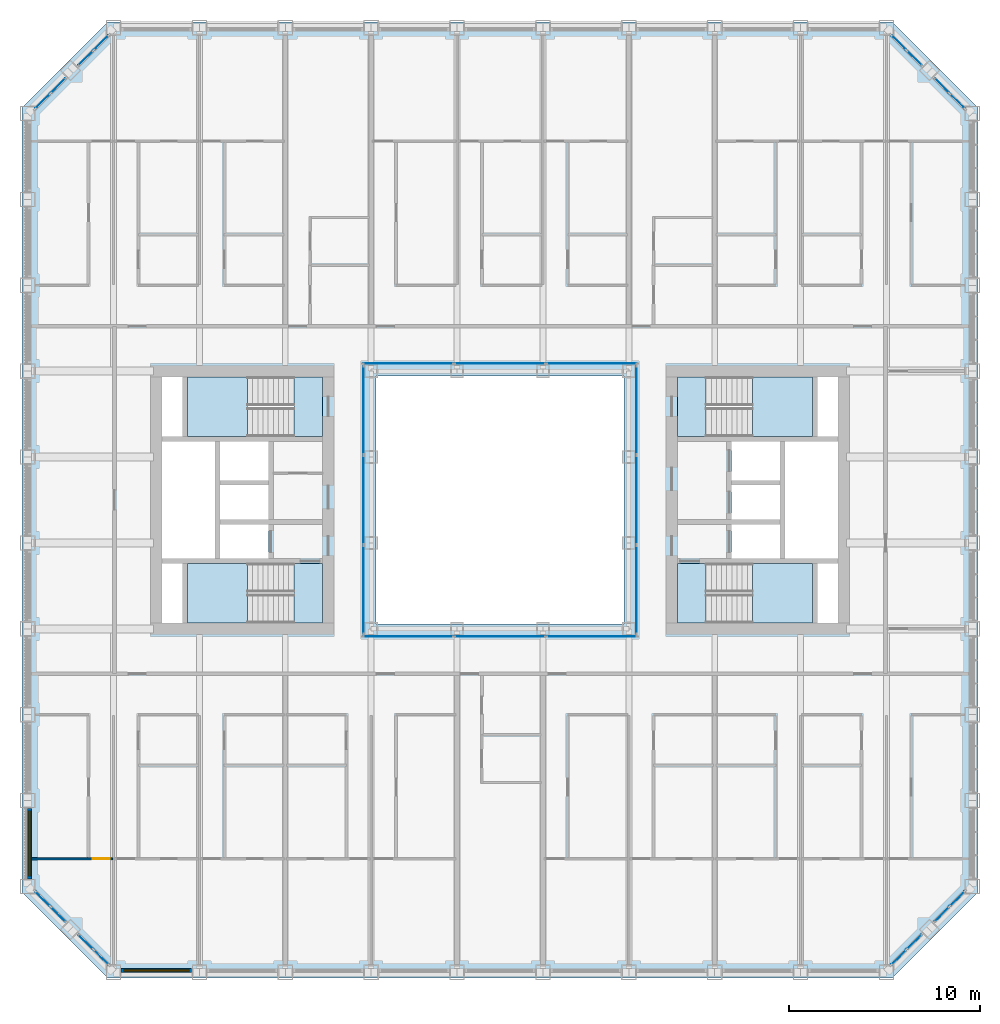
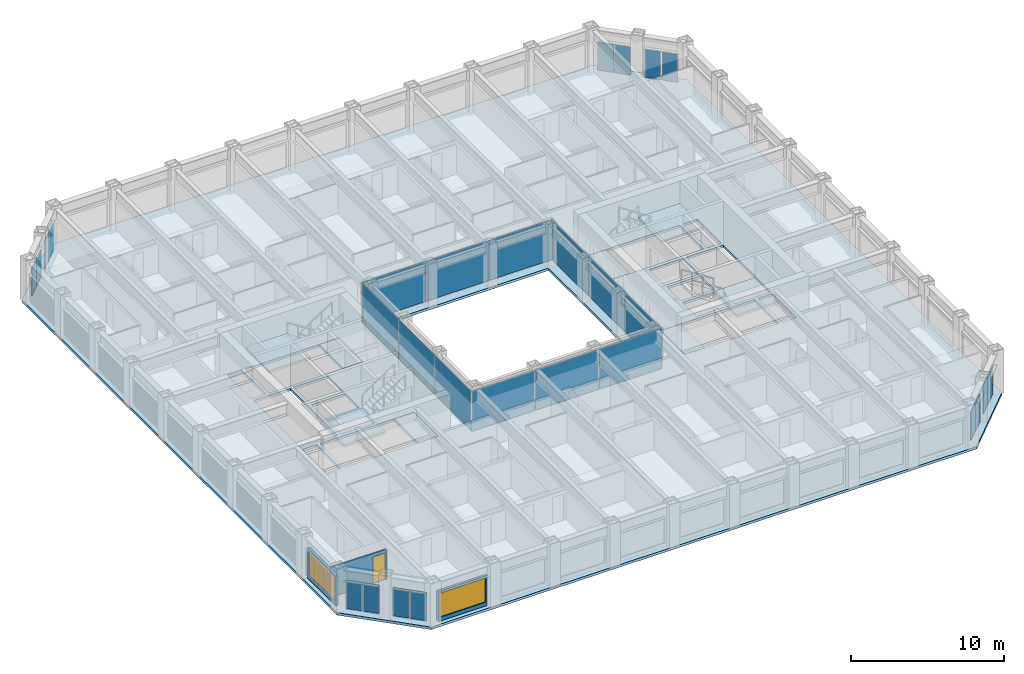
# One storey, part 8 of 20: 28 plates, 9 slabs, 3 walls, 2 windows, 1 door, 3 openings, 16 elements without a shape of their own.
"""IFC4 building model written with IfcOpenShell, lengths in metres."""

from ifc_helpers import new_model, si_unit, direction, frame, frame_2d, origin, origin_2d, place, context, subcontext, project, spatial, polyline, rectangle, outline, extrude, material, layer, layer_set, type_object, element, fill, aggregate, save


model = new_model("IFC4")

# Units and contexts
model_context = context("Model", 3, precision=1e-05, world=origin(), true_north=direction((0.0, 1.0)))
body_context = subcontext(model_context, "Body", "Model", "MODEL_VIEW")
ifc_project = project(units=[si_unit("LENGTHUNIT", "METRE"), si_unit("AREAUNIT", "SQUARE_METRE"), si_unit("VOLUMEUNIT", "CUBIC_METRE"), si_unit("PLANEANGLEUNIT", "RADIAN"), si_unit("MASSUNIT", "GRAM", prefix="KILO")], contexts=[model_context])

# Site, building, storey
site_placement = place(None, origin())
site = spatial("IfcSite", under=ifc_project, at=site_placement, CompositionType="ELEMENT")
building_placement = place(site_placement, origin())
building = spatial("IfcBuilding", under=site, at=building_placement, Name="Msasa Ring Tower", CompositionType="ELEMENT")
storey_placement = place(building_placement, frame((0.0, 0.0, 65.0)))
storey = spatial("IfcBuildingStorey", under=building, at=storey_placement, Name="L16", CompositionType="ELEMENT", Elevation=65.0)

# Curtain wall, plates
ifc_material_1 = material(Name="Aluminium curtain wall with clear glass", Category="aluminium")
curtain_wall_type_1 = type_object("IfcCurtainWallType", Name="CW-C CHAMFER CORNER CURTAIN WALL", PredefinedType="NOTDEFINED", material=ifc_material_1)
curtain_wall_1_placement = place(storey_placement, origin())
curtain_wall_1 = element("IfcCurtainWall", 1, at=curtain_wall_1_placement, inside=storey, type_object=curtain_wall_type_1, Name="Chamfer corner curtain wall SE L16", PredefinedType="NOTDEFINED")
ifc_material_2 = material(Name="Clear laminated insulating glass unit", Category="glass")
ifc_layer_1 = layer(ifc_material_2, 0.031982421875)
ifc_layer_set_1 = layer_set([ifc_layer_1], Name="CW-C GLASS PANEL 32")
plate_type_1 = type_object("IfcPlateType", Name="CW-C GLASS PANEL 32", PredefinedType="CURTAIN_PANEL", material=ifc_layer_set_1)
plate_1_placement = place(storey_placement, frame((20.896484375, -23.962158203125, 0.06494140625), z_axis=(0.0, 0.0, 1.0), x_axis=(0.707106781187, 0.707106781187, 0.0)))
plate_1 = element("IfcPlate", 2, at=plate_1_placement, type_object=plate_type_1, Name="CW-C panel 1.1", PredefinedType="CURTAIN_PANEL", context=body_context, shape_type="SweptSolid", body=[
    extrude(rectangle(XDim=1.08837890625, YDim=0.031982421875, at=origin_2d()), origin(), (0.0, 0.0, 1.0), 2.2490234375),
])
plate_2_placement = place(storey_placement, frame((21.712158203125, -23.146484375, 0.06494140625), z_axis=(0.0, 0.0, 1.0), x_axis=(0.707106781187, 0.707106781187, 0.0)))
plate_2 = element("IfcPlate", 3, at=plate_2_placement, type_object=plate_type_1, Name="CW-C panel 2.1", PredefinedType="CURTAIN_PANEL", context=body_context, shape_type="SweptSolid", body=[
    extrude(rectangle(XDim=1.08837890625, YDim=0.031982421875, at=origin_2d()), origin(), (0.0, 0.0, 1.0), 2.2490234375),
])
aggregate(curtain_wall_1, [plate_1, plate_2])

curtain_wall_2_placement = place(storey_placement, origin())
curtain_wall_2 = element("IfcCurtainWall", 4, at=curtain_wall_2_placement, inside=storey, type_object=curtain_wall_type_1, Name="Chamfer corner curtain wall SE L16", PredefinedType="NOTDEFINED")
plate_3_placement = place(storey_placement, frame((23.146484375, -21.712158203125, 0.06494140625), z_axis=(0.0, 0.0, 1.0), x_axis=(0.707106781187, 0.707106781187, 0.0)))
plate_3 = element("IfcPlate", 5, at=plate_3_placement, type_object=plate_type_1, Name="CW-C panel 1.1", PredefinedType="CURTAIN_PANEL", context=body_context, shape_type="SweptSolid", body=[
    extrude(rectangle(XDim=1.08837890625, YDim=0.031982421875, at=origin_2d()), origin(), (0.0, 0.0, 1.0), 2.2490234375),
])
plate_4_placement = place(storey_placement, frame((23.962158203125, -20.896484375, 0.06494140625), z_axis=(0.0, 0.0, 1.0), x_axis=(0.707106781187, 0.707106781187, 0.0)))
plate_4 = element("IfcPlate", 6, at=plate_4_placement, type_object=plate_type_1, Name="CW-C panel 2.1", PredefinedType="CURTAIN_PANEL", context=body_context, shape_type="SweptSolid", body=[
    extrude(rectangle(XDim=1.08837890625, YDim=0.031982421875, at=origin_2d()), origin(), (0.0, 0.0, 1.0), 2.2490234375),
])
aggregate(curtain_wall_2, [plate_3, plate_4])

curtain_wall_3_placement = place(storey_placement, origin())
curtain_wall_3 = element("IfcCurtainWall", 7, at=curtain_wall_3_placement, inside=storey, type_object=curtain_wall_type_1, Name="Chamfer corner curtain wall NE L16", PredefinedType="NOTDEFINED")
plate_5_placement = place(storey_placement, frame((21.712158203125, 23.146484375, 0.06494140625), z_axis=(0.0, 0.0, 1.0), x_axis=(-0.707106781187, 0.707106781187, 0.0)))
plate_5 = element("IfcPlate", 8, at=plate_5_placement, type_object=plate_type_1, Name="CW-C panel 1.1", PredefinedType="CURTAIN_PANEL", context=body_context, shape_type="SweptSolid", body=[
    extrude(rectangle(XDim=1.08837890625, YDim=0.031982421875, at=origin_2d()), origin(), (0.0, 0.0, 1.0), 2.2490234375),
])
plate_6_placement = place(storey_placement, frame((20.896484375, 23.962158203125, 0.06494140625), z_axis=(0.0, 0.0, 1.0), x_axis=(-0.707106781187, 0.707106781187, 0.0)))
plate_6 = element("IfcPlate", 9, at=plate_6_placement, type_object=plate_type_1, Name="CW-C panel 2.1", PredefinedType="CURTAIN_PANEL", context=body_context, shape_type="SweptSolid", body=[
    extrude(rectangle(XDim=1.08837890625, YDim=0.031982421875, at=origin_2d()), origin(), (0.0, 0.0, 1.0), 2.2490234375),
])
aggregate(curtain_wall_3, [plate_5, plate_6])

curtain_wall_4_placement = place(storey_placement, origin())
curtain_wall_4 = element("IfcCurtainWall", 10, at=curtain_wall_4_placement, inside=storey, type_object=curtain_wall_type_1, Name="Chamfer corner curtain wall NE L16", PredefinedType="NOTDEFINED")
plate_7_placement = place(storey_placement, frame((23.962158203125, 20.896484375, 0.06494140625), z_axis=(0.0, 0.0, 1.0), x_axis=(-0.707106781187, 0.707106781187, 0.0)))
plate_7 = element("IfcPlate", 11, at=plate_7_placement, type_object=plate_type_1, Name="CW-C panel 1.1", PredefinedType="CURTAIN_PANEL", context=body_context, shape_type="SweptSolid", body=[
    extrude(rectangle(XDim=1.08837890625, YDim=0.031982421875, at=origin_2d()), origin(), (0.0, 0.0, 1.0), 2.2490234375),
])
plate_8_placement = place(storey_placement, frame((23.146484375, 21.712158203125, 0.06494140625), z_axis=(0.0, 0.0, 1.0), x_axis=(-0.707106781187, 0.707106781187, 0.0)))
plate_8 = element("IfcPlate", 12, at=plate_8_placement, type_object=plate_type_1, Name="CW-C panel 2.1", PredefinedType="CURTAIN_PANEL", context=body_context, shape_type="SweptSolid", body=[
    extrude(rectangle(XDim=1.08837890625, YDim=0.031982421875, at=origin_2d()), origin(), (0.0, 0.0, 1.0), 2.2490234375),
])
aggregate(curtain_wall_4, [plate_7, plate_8])

curtain_wall_5_placement = place(storey_placement, origin())
curtain_wall_5 = element("IfcCurtainWall", 13, at=curtain_wall_5_placement, inside=storey, type_object=curtain_wall_type_1, Name="Chamfer corner curtain wall NW L16", PredefinedType="NOTDEFINED")
plate_9_placement = place(storey_placement, frame((-23.146484375, 21.712158203125, 0.06494140625), z_axis=(0.0, 0.0, 1.0), x_axis=(-0.707106781187, -0.707106781187, 0.0)))
plate_9 = element("IfcPlate", 14, at=plate_9_placement, type_object=plate_type_1, Name="CW-C panel 1.1", PredefinedType="CURTAIN_PANEL", context=body_context, shape_type="SweptSolid", body=[
    extrude(rectangle(XDim=1.08837890625, YDim=0.031982421875, at=origin_2d()), origin(), (0.0, 0.0, 1.0), 2.2490234375),
])
plate_10_placement = place(storey_placement, frame((-23.962158203125, 20.896484375, 0.06494140625), z_axis=(0.0, 0.0, 1.0), x_axis=(-0.707106781187, -0.707106781187, 0.0)))
plate_10 = element("IfcPlate", 15, at=plate_10_placement, type_object=plate_type_1, Name="CW-C panel 2.1", PredefinedType="CURTAIN_PANEL", context=body_context, shape_type="SweptSolid", body=[
    extrude(rectangle(XDim=1.08837890625, YDim=0.031982421875, at=origin_2d()), origin(), (0.0, 0.0, 1.0), 2.2490234375),
])
aggregate(curtain_wall_5, [plate_9, plate_10])

curtain_wall_6_placement = place(storey_placement, origin())
curtain_wall_6 = element("IfcCurtainWall", 16, at=curtain_wall_6_placement, inside=storey, type_object=curtain_wall_type_1, Name="Chamfer corner curtain wall NW L16", PredefinedType="NOTDEFINED")
plate_11_placement = place(storey_placement, frame((-20.896484375, 23.962158203125, 0.06494140625), z_axis=(0.0, 0.0, 1.0), x_axis=(-0.707106781187, -0.707106781187, 0.0)))
plate_11 = element("IfcPlate", 17, at=plate_11_placement, type_object=plate_type_1, Name="CW-C panel 1.1", PredefinedType="CURTAIN_PANEL", context=body_context, shape_type="SweptSolid", body=[
    extrude(rectangle(XDim=1.08837890625, YDim=0.031982421875, at=origin_2d()), origin(), (0.0, 0.0, 1.0), 2.2490234375),
])
plate_12_placement = place(storey_placement, frame((-21.712158203125, 23.146484375, 0.06494140625), z_axis=(0.0, 0.0, 1.0), x_axis=(-0.707106781187, -0.707106781187, 0.0)))
plate_12 = element("IfcPlate", 18, at=plate_12_placement, type_object=plate_type_1, Name="CW-C panel 2.1", PredefinedType="CURTAIN_PANEL", context=body_context, shape_type="SweptSolid", body=[
    extrude(rectangle(XDim=1.08837890625, YDim=0.031982421875, at=origin_2d()), origin(), (0.0, 0.0, 1.0), 2.2490234375),
])
aggregate(curtain_wall_6, [plate_11, plate_12])

curtain_wall_7_placement = place(storey_placement, origin())
curtain_wall_7 = element("IfcCurtainWall", 19, at=curtain_wall_7_placement, inside=storey, type_object=curtain_wall_type_1, Name="Chamfer corner curtain wall SW L16", PredefinedType="NOTDEFINED")
plate_13_placement = place(storey_placement, frame((-23.962158203125, -20.896484375, 0.06494140625), z_axis=(0.0, 0.0, 1.0), x_axis=(0.707106781187, -0.707106781187, 0.0)))
plate_13 = element("IfcPlate", 20, at=plate_13_placement, type_object=plate_type_1, Name="CW-C panel 1.1", PredefinedType="CURTAIN_PANEL", context=body_context, shape_type="SweptSolid", body=[
    extrude(rectangle(XDim=1.08837890625, YDim=0.031982421875, at=origin_2d()), origin(), (0.0, 0.0, 1.0), 2.2490234375),
])
plate_14_placement = place(storey_placement, frame((-23.146484375, -21.712158203125, 0.06494140625), z_axis=(0.0, 0.0, 1.0), x_axis=(0.707106781187, -0.707106781187, 0.0)))
plate_14 = element("IfcPlate", 21, at=plate_14_placement, type_object=plate_type_1, Name="CW-C panel 2.1", PredefinedType="CURTAIN_PANEL", context=body_context, shape_type="SweptSolid", body=[
    extrude(rectangle(XDim=1.08837890625, YDim=0.031982421875, at=origin_2d()), origin(), (0.0, 0.0, 1.0), 2.2490234375),
])
aggregate(curtain_wall_7, [plate_13, plate_14])

curtain_wall_8_placement = place(storey_placement, origin())
curtain_wall_8 = element("IfcCurtainWall", 22, at=curtain_wall_8_placement, inside=storey, type_object=curtain_wall_type_1, Name="Chamfer corner curtain wall SW L16", PredefinedType="NOTDEFINED")
plate_15_placement = place(storey_placement, frame((-21.712158203125, -23.146484375, 0.06494140625), z_axis=(0.0, 0.0, 1.0), x_axis=(0.707106781187, -0.707106781187, 0.0)))
plate_15 = element("IfcPlate", 23, at=plate_15_placement, type_object=plate_type_1, Name="CW-C panel 1.1", PredefinedType="CURTAIN_PANEL", context=body_context, shape_type="SweptSolid", body=[
    extrude(rectangle(XDim=1.08837890625, YDim=0.031982421875, at=origin_2d()), origin(), (0.0, 0.0, 1.0), 2.2490234375),
])
plate_16_placement = place(storey_placement, frame((-20.896484375, -23.962158203125, 0.06494140625), z_axis=(0.0, 0.0, 1.0), x_axis=(0.707106781187, -0.707106781187, 0.0)))
plate_16 = element("IfcPlate", 24, at=plate_16_placement, type_object=plate_type_1, Name="CW-C panel 2.1", PredefinedType="CURTAIN_PANEL", context=body_context, shape_type="SweptSolid", body=[
    extrude(rectangle(XDim=1.08837890625, YDim=0.031982421875, at=origin_2d()), origin(), (0.0, 0.0, 1.0), 2.2490234375),
])
aggregate(curtain_wall_8, [plate_15, plate_16])

ifc_material_3 = material(Name="Aluminium curtain wall with clear glass", Category="aluminium")
curtain_wall_type_2 = type_object("IfcCurtainWallType", Name="CW-W LIGHT WELL CURTAIN WALL", PredefinedType="NOTDEFINED", material=ifc_material_3)
curtain_wall_9_placement = place(storey_placement, origin())
curtain_wall_9 = element("IfcCurtainWall", 25, at=curtain_wall_9_placement, inside=storey, type_object=curtain_wall_type_2, Name="Light well curtain wall N L16", PredefinedType="NOTDEFINED")
ifc_material_4 = material(Name="Clear laminated insulating glass unit", Category="glass")
ifc_layer_2 = layer(ifc_material_4, 0.028076171875)
ifc_layer_set_2 = layer_set([ifc_layer_2], Name="CW-W GLASS PANEL 28")
plate_type_2 = type_object("IfcPlateType", Name="CW-W GLASS PANEL 28", PredefinedType="CURTAIN_PANEL", material=ifc_layer_set_2)
plate_17_placement = place(storey_placement, frame((-4.804931640625, 7.14990234375, 0.06005859375), z_axis=(0.0, 0.0, 1.0), x_axis=(1.0, 0.0, 0.0)))
plate_17 = element("IfcPlate", 26, at=plate_17_placement, type_object=plate_type_2, Name="CW-W panel 1.1", PredefinedType="CURTAIN_PANEL", context=body_context, shape_type="SweptSolid", body=[
    extrude(rectangle(XDim=4.72998046875, YDim=0.028076171875, at=origin_2d()), origin(), (0.0, 0.0, 1.0), 3.179931640625),
])
plate_18_placement = place(storey_placement, frame((0.0, 7.14990234375, 0.06005859375), z_axis=(0.0, 0.0, 1.0), x_axis=(1.0, 0.0, 0.0)))
plate_18 = element("IfcPlate", 27, at=plate_18_placement, type_object=plate_type_2, Name="CW-W panel 2.1", PredefinedType="CURTAIN_PANEL", context=body_context, shape_type="SweptSolid", body=[
    extrude(rectangle(XDim=4.760009765625, YDim=0.028076171875, at=origin_2d()), origin(), (0.0, 0.0, 1.0), 3.179931640625),
])
plate_19_placement = place(storey_placement, frame((4.804931640625, 7.14990234375, 0.06005859375), z_axis=(0.0, 0.0, 1.0), x_axis=(1.0, 0.0, 0.0)))
plate_19 = element("IfcPlate", 28, at=plate_19_placement, type_object=plate_type_2, Name="CW-W panel 3.1", PredefinedType="CURTAIN_PANEL", context=body_context, shape_type="SweptSolid", body=[
    extrude(rectangle(XDim=4.72998046875, YDim=0.028076171875, at=origin_2d()), origin(), (0.0, 0.0, 1.0), 3.179931640625),
])
aggregate(curtain_wall_9, [plate_17, plate_18, plate_19])

curtain_wall_10_placement = place(storey_placement, origin())
curtain_wall_10 = element("IfcCurtainWall", 29, at=curtain_wall_10_placement, inside=storey, type_object=curtain_wall_type_2, Name="Light well curtain wall S L16", PredefinedType="NOTDEFINED")
plate_20_placement = place(storey_placement, frame((-4.804931640625, -7.14990234375, 0.06005859375), z_axis=(0.0, 0.0, 1.0), x_axis=(1.0, 0.0, 0.0)))
plate_20 = element("IfcPlate", 30, at=plate_20_placement, type_object=plate_type_2, Name="CW-W panel 1.1", PredefinedType="CURTAIN_PANEL", context=body_context, shape_type="SweptSolid", body=[
    extrude(rectangle(XDim=4.72998046875, YDim=0.028076171875, at=origin_2d()), origin(), (0.0, 0.0, 1.0), 3.179931640625),
])
plate_21_placement = place(storey_placement, frame((0.0, -7.14990234375, 0.06005859375), z_axis=(0.0, 0.0, 1.0), x_axis=(1.0, 0.0, 0.0)))
plate_21 = element("IfcPlate", 31, at=plate_21_placement, type_object=plate_type_2, Name="CW-W panel 2.1", PredefinedType="CURTAIN_PANEL", context=body_context, shape_type="SweptSolid", body=[
    extrude(rectangle(XDim=4.760009765625, YDim=0.028076171875, at=origin_2d()), origin(), (0.0, 0.0, 1.0), 3.179931640625),
])
plate_22_placement = place(storey_placement, frame((4.804931640625, -7.14990234375, 0.06005859375), z_axis=(0.0, 0.0, 1.0), x_axis=(1.0, 0.0, 0.0)))
plate_22 = element("IfcPlate", 32, at=plate_22_placement, type_object=plate_type_2, Name="CW-W panel 3.1", PredefinedType="CURTAIN_PANEL", context=body_context, shape_type="SweptSolid", body=[
    extrude(rectangle(XDim=4.72998046875, YDim=0.028076171875, at=origin_2d()), origin(), (0.0, 0.0, 1.0), 3.179931640625),
])
aggregate(curtain_wall_10, [plate_20, plate_21, plate_22])

curtain_wall_11_placement = place(storey_placement, origin())
curtain_wall_11 = element("IfcCurtainWall", 33, at=curtain_wall_11_placement, inside=storey, type_object=curtain_wall_type_2, Name="Light well curtain wall E L16", PredefinedType="NOTDEFINED")
plate_23_placement = place(storey_placement, frame((7.14990234375, -4.6982421875, 0.06005859375), z_axis=(0.0, 0.0, 1.0), x_axis=(0.0, 1.0, 0.0)))
plate_23 = element("IfcPlate", 34, at=plate_23_placement, type_object=plate_type_2, Name="CW-W panel 1.1", PredefinedType="CURTAIN_PANEL", context=body_context, shape_type="SweptSolid", body=[
    extrude(rectangle(XDim=4.623291015625, YDim=0.028076171875, at=origin_2d()), origin(), (0.0, 0.0, 1.0), 3.179931640625),
])
plate_24_placement = place(storey_placement, frame((7.14990234375, 0.0, 0.06005859375), z_axis=(0.0, 0.0, 1.0), x_axis=(0.0, 1.0, 0.0)))
plate_24 = element("IfcPlate", 35, at=plate_24_placement, type_object=plate_type_2, Name="CW-W panel 2.1", PredefinedType="CURTAIN_PANEL", context=body_context, shape_type="SweptSolid", body=[
    extrude(rectangle(XDim=4.6533203125, YDim=0.028076171875, at=origin_2d()), origin(), (0.0, 0.0, 1.0), 3.179931640625),
])
plate_25_placement = place(storey_placement, frame((7.14990234375, 4.6982421875, 0.06005859375), z_axis=(0.0, 0.0, 1.0), x_axis=(0.0, 1.0, 0.0)))
plate_25 = element("IfcPlate", 36, at=plate_25_placement, type_object=plate_type_2, Name="CW-W panel 3.1", PredefinedType="CURTAIN_PANEL", context=body_context, shape_type="SweptSolid", body=[
    extrude(rectangle(XDim=4.623291015625, YDim=0.028076171875, at=origin_2d()), origin(), (0.0, 0.0, 1.0), 3.179931640625),
])
aggregate(curtain_wall_11, [plate_23, plate_24, plate_25])

curtain_wall_12_placement = place(storey_placement, origin())
curtain_wall_12 = element("IfcCurtainWall", 37, at=curtain_wall_12_placement, inside=storey, type_object=curtain_wall_type_2, Name="Light well curtain wall W L16", PredefinedType="NOTDEFINED")
plate_26_placement = place(storey_placement, frame((-7.14990234375, -4.6982421875, 0.06005859375), z_axis=(0.0, 0.0, 1.0), x_axis=(0.0, 1.0, 0.0)))
plate_26 = element("IfcPlate", 38, at=plate_26_placement, type_object=plate_type_2, Name="CW-W panel 1.1", PredefinedType="CURTAIN_PANEL", context=body_context, shape_type="SweptSolid", body=[
    extrude(rectangle(XDim=4.623291015625, YDim=0.028076171875, at=origin_2d()), origin(), (0.0, 0.0, 1.0), 3.179931640625),
])
plate_27_placement = place(storey_placement, frame((-7.14990234375, 0.0, 0.06005859375), z_axis=(0.0, 0.0, 1.0), x_axis=(0.0, 1.0, 0.0)))
plate_27 = element("IfcPlate", 39, at=plate_27_placement, type_object=plate_type_2, Name="CW-W panel 2.1", PredefinedType="CURTAIN_PANEL", context=body_context, shape_type="SweptSolid", body=[
    extrude(rectangle(XDim=4.6533203125, YDim=0.028076171875, at=origin_2d()), origin(), (0.0, 0.0, 1.0), 3.179931640625),
])
plate_28_placement = place(storey_placement, frame((-7.14990234375, 4.6982421875, 0.06005859375), z_axis=(0.0, 0.0, 1.0), x_axis=(0.0, 1.0, 0.0)))
plate_28 = element("IfcPlate", 40, at=plate_28_placement, type_object=plate_type_2, Name="CW-W panel 3.1", PredefinedType="CURTAIN_PANEL", context=body_context, shape_type="SweptSolid", body=[
    extrude(rectangle(XDim=4.623291015625, YDim=0.028076171875, at=origin_2d()), origin(), (0.0, 0.0, 1.0), 3.179931640625),
])
aggregate(curtain_wall_12, [plate_26, plate_27, plate_28])

# Stair, slabs
ifc_material_5 = material(Name="Concrete C40/50", Category="concrete")
stair_type = type_object("IfcStairType", Name="STC CORE STAIR 20 RISERS 175", PredefinedType="HALF_TURN_STAIR", material=ifc_material_5)
stair_1_placement = place(storey_placement, origin())
stair_1 = element("IfcStair", 41, at=stair_1_placement, inside=storey, type_object=stair_type, Name="Core stair SEA L16", PredefinedType="HALF_TURN_STAIR")
ifc_material_6 = material(Name="Concrete C40/50", Category="concrete")
ifc_layer_3 = layer(ifc_material_6, 0.199951171875)
ifc_layer_set_3 = layer_set([ifc_layer_3], Name="LD1 CORE STAIR LANDING 200")
slab_type_1 = type_object("IfcSlabType", Name="LD1 CORE STAIR LANDING 200", PredefinedType="LANDING", material=ifc_layer_set_3)
slab_1_placement = place(storey_placement, frame((0.0, 0.0, -0.199951171875)))
slab_1 = element("IfcSlab", 42, at=slab_1_placement, type_object=slab_type_1, Name="SEA landing 1", PredefinedType="LANDING", context=body_context, shape_type="SweptSolid", body=[
    extrude(outline(polyline([(9.300048828125, -6.449951171875), (10.800048828125, -6.449951171875), (10.800048828125, -3.324951171875), (9.300048828125, -3.324951171875), (9.300048828125, -6.449951171875)])), origin(), (0.0, 0.0, 1.0), 0.199951171875),
])
slab_2_placement = place(storey_placement, frame((0.0, 0.0, 1.550048828125)))
slab_2 = element("IfcSlab", 43, at=slab_2_placement, type_object=slab_type_1, Name="SEA landing 2", PredefinedType="LANDING", context=body_context, shape_type="SweptSolid", body=[
    extrude(outline(polyline([(13.22998046875, -6.449951171875), (16.375, -6.449951171875), (16.375, -3.324951171875), (13.22998046875, -3.324951171875), (13.22998046875, -6.449951171875)])), origin(), (0.0, 0.0, 1.0), 0.199951171875),
])
aggregate(stair_1, [slab_1, slab_2])

stair_2_placement = place(storey_placement, origin())
stair_2 = element("IfcStair", 44, at=stair_2_placement, inside=storey, type_object=stair_type, Name="Core stair SEB L16", PredefinedType="HALF_TURN_STAIR")
slab_3_placement = place(storey_placement, frame((0.0, 0.0, -0.199951171875)))
slab_3 = element("IfcSlab", 45, at=slab_3_placement, type_object=slab_type_1, Name="SEB landing 1", PredefinedType="LANDING", context=body_context, shape_type="SweptSolid", body=[
    extrude(outline(polyline([(9.300048828125, 3.324951171875), (10.800048828125, 3.324951171875), (10.800048828125, 6.449951171875), (9.300048828125, 6.449951171875), (9.300048828125, 3.324951171875)])), origin(), (0.0, 0.0, 1.0), 0.199951171875),
])
slab_4_placement = place(storey_placement, frame((0.0, 0.0, 1.550048828125)))
slab_4 = element("IfcSlab", 46, at=slab_4_placement, type_object=slab_type_1, Name="SEB landing 2", PredefinedType="LANDING", context=body_context, shape_type="SweptSolid", body=[
    extrude(outline(polyline([(13.22998046875, 3.324951171875), (16.375, 3.324951171875), (16.375, 6.449951171875), (13.22998046875, 6.449951171875), (13.22998046875, 3.324951171875)])), origin(), (0.0, 0.0, 1.0), 0.199951171875),
])
aggregate(stair_2, [slab_3, slab_4])

stair_3_placement = place(storey_placement, origin())
stair_3 = element("IfcStair", 47, at=stair_3_placement, inside=storey, type_object=stair_type, Name="Core stair SWA L16", PredefinedType="HALF_TURN_STAIR")
slab_5_placement = place(storey_placement, frame((0.0, 0.0, -0.199951171875)))
slab_5 = element("IfcSlab", 48, at=slab_5_placement, type_object=slab_type_1, Name="SWA landing 1", PredefinedType="LANDING", context=body_context, shape_type="SweptSolid", body=[
    extrude(outline(polyline([(-10.800048828125, -6.449951171875), (-9.300048828125, -6.449951171875), (-9.300048828125, -3.324951171875), (-10.800048828125, -3.324951171875), (-10.800048828125, -6.449951171875)])), origin(), (0.0, 0.0, 1.0), 0.199951171875),
])
slab_6_placement = place(storey_placement, frame((0.0, 0.0, 1.550048828125)))
slab_6 = element("IfcSlab", 49, at=slab_6_placement, type_object=slab_type_1, Name="SWA landing 2", PredefinedType="LANDING", context=body_context, shape_type="SweptSolid", body=[
    extrude(outline(polyline([(-16.375, -6.449951171875), (-13.22998046875, -6.449951171875), (-13.22998046875, -3.324951171875), (-16.375, -3.324951171875), (-16.375, -6.449951171875)])), origin(), (0.0, 0.0, 1.0), 0.199951171875),
])
aggregate(stair_3, [slab_5, slab_6])

stair_4_placement = place(storey_placement, origin())
stair_4 = element("IfcStair", 50, at=stair_4_placement, inside=storey, type_object=stair_type, Name="Core stair SWB L16", PredefinedType="HALF_TURN_STAIR")
slab_7_placement = place(storey_placement, frame((0.0, 0.0, -0.199951171875)))
slab_7 = element("IfcSlab", 51, at=slab_7_placement, type_object=slab_type_1, Name="SWB landing 1", PredefinedType="LANDING", context=body_context, shape_type="SweptSolid", body=[
    extrude(outline(polyline([(-10.800048828125, 3.324951171875), (-9.300048828125, 3.324951171875), (-9.300048828125, 6.449951171875), (-10.800048828125, 6.449951171875), (-10.800048828125, 3.324951171875)])), origin(), (0.0, 0.0, 1.0), 0.199951171875),
])
slab_8_placement = place(storey_placement, frame((0.0, 0.0, 1.550048828125)))
slab_8 = element("IfcSlab", 52, at=slab_8_placement, type_object=slab_type_1, Name="SWB landing 2", PredefinedType="LANDING", context=body_context, shape_type="SweptSolid", body=[
    extrude(outline(polyline([(-16.375, 3.324951171875), (-13.22998046875, 3.324951171875), (-13.22998046875, 6.449951171875), (-16.375, 6.449951171875), (-16.375, 3.324951171875)])), origin(), (0.0, 0.0, 1.0), 0.199951171875),
])
aggregate(stair_4, [slab_7, slab_8])

# Slab
ifc_material_7 = material(Name="Concrete C40/50", Category="concrete")
ifc_layer_4 = layer(ifc_material_7, 0.199951171875)
ifc_layer_set_4 = layer_set([ifc_layer_4], Name="S3 RESIDENCE FLOOR 200")
slab_type_2 = type_object("IfcSlabType", Name="S3 RESIDENCE FLOOR 200", PredefinedType="FLOOR", material=ifc_layer_set_4)
slab_9_placement = place(storey_placement, frame((0.0, 0.0, -0.199951171875)))
element("IfcSlab", 53, at=slab_9_placement, inside=storey, type_object=slab_type_2, Name="Floor slab L16", PredefinedType="FLOOR", context=body_context, shape_type="SweptSolid", body=[
    extrude(outline(polyline([(-20.550048828125, -25.050048828125), (20.550048828125, -25.050048828125), (25.050048828125, -20.550048828125), (25.050048828125, 20.550048828125), (20.550048828125, 25.050048828125), (-20.550048828125, 25.050048828125), (-25.050048828125, 20.550048828125), (-25.050048828125, -20.550048828125), (-20.550048828125, -25.050048828125)]), holes=[polyline([(-6.5, -6.5), (6.5, -6.5), (6.5, 6.5), (-6.5, 6.5), (-6.5, -6.5)]), polyline([(9.300048828125, -6.449951171875), (16.375, -6.449951171875), (16.375, -3.324951171875), (9.300048828125, -3.324951171875), (9.300048828125, -6.449951171875)]), polyline([(9.300048828125, 3.324951171875), (16.375, 3.324951171875), (16.375, 6.449951171875), (9.300048828125, 6.449951171875), (9.300048828125, 3.324951171875)]), polyline([(12.125, -3.074951171875), (14.675048828125, -3.074951171875), (14.675048828125, -1.27490234375), (12.125, -1.27490234375), (12.125, -3.074951171875)]), polyline([(12.125, -1.02490234375), (14.675048828125, -1.02490234375), (14.675048828125, 0.77490234375), (12.125, 0.77490234375), (12.125, -1.02490234375)]), polyline([(12.125, 1.02490234375), (14.675048828125, 1.02490234375), (14.675048828125, 3.074951171875), (12.125, 3.074951171875), (12.125, 1.02490234375)]), polyline([(16.625, -6.449951171875), (17.699951171875, -6.449951171875), (17.699951171875, -3.324951171875), (16.625, -3.324951171875), (16.625, -6.449951171875)]), polyline([(16.625, 3.324951171875), (17.699951171875, 3.324951171875), (17.699951171875, 6.449951171875), (16.625, 6.449951171875), (16.625, 3.324951171875)]), polyline([(14.925048828125, -3.074951171875), (17.699951171875, -3.074951171875), (17.699951171875, 3.074951171875), (14.925048828125, 3.074951171875), (14.925048828125, -3.074951171875)]), polyline([(-16.375, -6.449951171875), (-9.300048828125, -6.449951171875), (-9.300048828125, -3.324951171875), (-16.375, -3.324951171875), (-16.375, -6.449951171875)]), polyline([(-16.375, 3.324951171875), (-9.300048828125, 3.324951171875), (-9.300048828125, 6.449951171875), (-16.375, 6.449951171875), (-16.375, 3.324951171875)]), polyline([(-14.675048828125, -3.074951171875), (-12.125, -3.074951171875), (-12.125, -1.27490234375), (-14.675048828125, -1.27490234375), (-14.675048828125, -3.074951171875)]), polyline([(-14.675048828125, -1.02490234375), (-12.125, -1.02490234375), (-12.125, 0.77490234375), (-14.675048828125, 0.77490234375), (-14.675048828125, -1.02490234375)]), polyline([(-14.675048828125, 1.02490234375), (-12.125, 1.02490234375), (-12.125, 3.074951171875), (-14.675048828125, 3.074951171875), (-14.675048828125, 1.02490234375)]), polyline([(-17.699951171875, -6.449951171875), (-16.625, -6.449951171875), (-16.625, -3.324951171875), (-17.699951171875, -3.324951171875), (-17.699951171875, -6.449951171875)]), polyline([(-17.699951171875, 3.324951171875), (-16.625, 3.324951171875), (-16.625, 6.449951171875), (-17.699951171875, 6.449951171875), (-17.699951171875, 3.324951171875)]), polyline([(-17.699951171875, -3.074951171875), (-14.925048828125, -3.074951171875), (-14.925048828125, 3.074951171875), (-17.699951171875, 3.074951171875), (-17.699951171875, -3.074951171875)])]), origin(), (0.0, 0.0, 1.0), 0.199951171875),
])

# Wall, opening, window
ifc_material_8 = material(Name="Terracotta rainscreen on blockwork", Category="masonry")
ifc_layer_5 = layer(ifc_material_8, 0.199951171875)
ifc_layer_set_5 = layer_set([ifc_layer_5], Name="FW1 TERRACOTTA-LINED INFILL BAY WALL 200")
wall_type_1 = type_object("IfcWallType", Name="FW1 TERRACOTTA-LINED INFILL BAY WALL 200", PredefinedType="SOLIDWALL", material=ifc_layer_set_5)
wall_1_placement = place(storey_placement, frame((-19.844970703125, -24.64990234375, 0.0), z_axis=(0.0, 0.0, 1.0), x_axis=(1.0, 0.0, 0.0)))
wall_1 = element("IfcWall", 54, at=wall_1_placement, inside=storey, type_object=wall_type_1, Name="Infill bay wall S L16 00", PredefinedType="SOLIDWALL", context=body_context, shape_type="SweptSolid", body=[
    extrude(rectangle(XDim=3.68994140625, YDim=0.199951171875, at=frame_2d((1.844970703125, 0.0))), origin(), (0.0, 0.0, 1.0), 2.37890625),
])
opening_1_placement = place(wall_1_placement, frame((0.14501953125, 0.0, 0.300048828125)))
opening_1 = element("IfcOpeningElement", 55, at=opening_1_placement, cuts=wall_1, Name="Opening WN1", PredefinedType="OPENING", context=body_context, shape_type="SweptSolid", body=[
    extrude(rectangle(XDim=3.39990234375, YDim=1.928955078125, at=frame_2d((1.699951171875, 0.96435546875))), frame((0.0, 0.10986328125, 0.0), z_axis=(0.0, -1.0, 0.0), x_axis=(1.0, 0.0, 0.0)), (0.0, 0.0, 1.0), 0.219970703125),
])
ifc_material_9 = material(Name="Aluminium frame with clear glass", Category="aluminium")
window_type = type_object("IfcWindowType", Name="WN1 RESIDENCE WINDOW 3400x1929", PartitioningType="SINGLE_PANEL", PredefinedType="WINDOW", material=ifc_material_9)
window_1_placement = place(opening_1_placement, origin())
window_1 = element("IfcWindow", 56, at=window_1_placement, inside=storey, type_object=window_type, Name="Window S L16 00", OverallHeight=1.928955078125, OverallWidth=3.39990234375, PartitioningType="SINGLE_PANEL", PredefinedType="WINDOW", context=body_context, shape_type="SweptSolid", body=[
    extrude(rectangle(XDim=3.39990234375, YDim=1.928955078125, at=frame_2d((1.699951171875, 0.96435546875))), frame((0.0, 0.030029296875, 0.0), z_axis=(0.0, -1.0, 0.0), x_axis=(1.0, 0.0, 0.0)), (0.0, 0.0, 1.0), 0.06005859375),
])
fill(opening_1, window_1)

wall_2_placement = place(storey_placement, frame((-24.64990234375, -19.844970703125, 0.0), z_axis=(0.0, 0.0, 1.0), x_axis=(0.0, 1.0, 0.0)))
wall_2 = element("IfcWall", 57, at=wall_2_placement, inside=storey, type_object=wall_type_1, Name="Infill bay wall W L16 33", PredefinedType="SOLIDWALL", context=body_context, shape_type="SweptSolid", body=[
    extrude(rectangle(XDim=3.68994140625, YDim=0.199951171875, at=frame_2d((1.844970703125, 0.0))), origin(), (0.0, 0.0, 1.0), 2.37890625),
])
opening_2_placement = place(wall_2_placement, frame((0.14501953125, 0.0, 0.300048828125)))
opening_2 = element("IfcOpeningElement", 58, at=opening_2_placement, cuts=wall_2, Name="Opening WN1", PredefinedType="OPENING", context=body_context, shape_type="SweptSolid", body=[
    extrude(rectangle(XDim=3.39990234375, YDim=1.928955078125, at=frame_2d((1.699951171875, 0.96435546875))), frame((0.0, 0.10986328125, 0.0), z_axis=(0.0, -1.0, 0.0), x_axis=(1.0, 0.0, 0.0)), (0.0, 0.0, 1.0), 0.219970703125),
])
window_2_placement = place(opening_2_placement, origin())
window_2 = element("IfcWindow", 59, at=window_2_placement, inside=storey, type_object=window_type, Name="Window W L16 33", OverallHeight=1.928955078125, OverallWidth=3.39990234375, PartitioningType="SINGLE_PANEL", PredefinedType="WINDOW", context=body_context, shape_type="SweptSolid", body=[
    extrude(rectangle(XDim=3.39990234375, YDim=1.928955078125, at=frame_2d((1.699951171875, 0.96435546875))), frame((0.0, 0.030029296875, 0.0), z_axis=(0.0, -1.0, 0.0), x_axis=(1.0, 0.0, 0.0)), (0.0, 0.0, 1.0), 0.06005859375),
])
fill(opening_2, window_2)

# Wall, opening, door
ifc_material_10 = material(Name="Gypsum board on steel studs", Category="steel")
ifc_layer_6 = layer(ifc_material_10, 0.10009765625)
ifc_layer_set_6 = layer_set([ifc_layer_6], Name="PT2 STUD PARTITION 100")
wall_type_2 = type_object("IfcWallType", Name="PT2 STUD PARTITION 100", PredefinedType="PARTITIONING", material=ifc_layer_set_6)
wall_3_placement = place(storey_placement, frame((-24.550048828125, -18.800048828125, 0.0), z_axis=(0.0, 0.0, 1.0), x_axis=(1.0, 0.0, 0.0)))
wall_3 = element("IfcWall", 60, at=wall_3_placement, inside=storey, type_object=wall_type_2, Name="Partition L16-US00SY0", PredefinedType="PARTITIONING", context=body_context, shape_type="SweptSolid", body=[
    extrude(rectangle(XDim=4.25, YDim=0.10009765625, at=frame_2d((2.125, 0.0))), origin(), (0.0, 0.0, 1.0), 2.373291015625),
])
opening_3_placement = place(wall_3_placement, frame((3.199951171875, 0.0, 0.0)))
opening_3 = element("IfcOpeningElement", 61, at=opening_3_placement, cuts=wall_3, Name="Opening RD-064", PredefinedType="OPENING", context=body_context, shape_type="SweptSolid", body=[
    extrude(rectangle(XDim=0.89990234375, YDim=2.10009765625, at=frame_2d((0.449951171875, 1.050048828125))), frame((0.0, 0.06005859375, 0.0), z_axis=(0.0, -1.0, 0.0), x_axis=(1.0, 0.0, 0.0)), (0.0, 0.0, 1.0), 0.1201171875),
])
ifc_material_11 = material(Name="Timber door leaf in a steel frame", Category="steel")
door_type = type_object("IfcDoorType", Name="D22 INTERNAL HALL DOOR 900x2100", OperationType="SINGLE_SWING_LEFT", PredefinedType="DOOR", material=ifc_material_11)
door_placement = place(opening_3_placement, origin())
door = element("IfcDoor", 62, at=door_placement, inside=storey, type_object=door_type, Name="Door L16-US00L", OperationType="SINGLE_SWING_RIGHT", OverallHeight=2.10009765625, OverallWidth=0.89990234375, PredefinedType="DOOR", context=body_context, shape_type="SweptSolid", body=[
    extrude(rectangle(XDim=0.89990234375, YDim=2.10009765625, at=frame_2d((0.449951171875, 1.050048828125))), frame((0.0, 0.02490234375, 0.0), z_axis=(0.0, -1.0, 0.0), x_axis=(1.0, 0.0, 0.0)), (0.0, 0.0, 1.0), 0.050048828125),
])
fill(opening_3, door)

save(model, "model.ifc")
